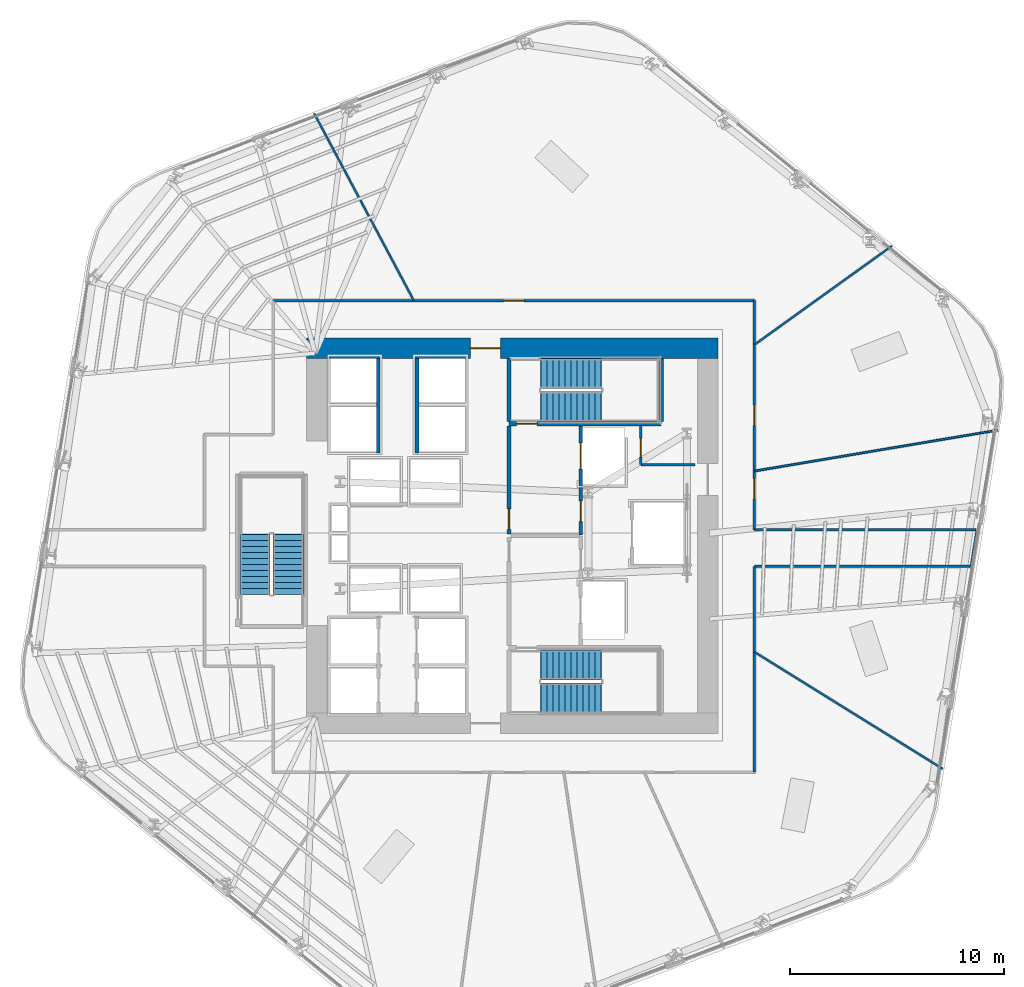
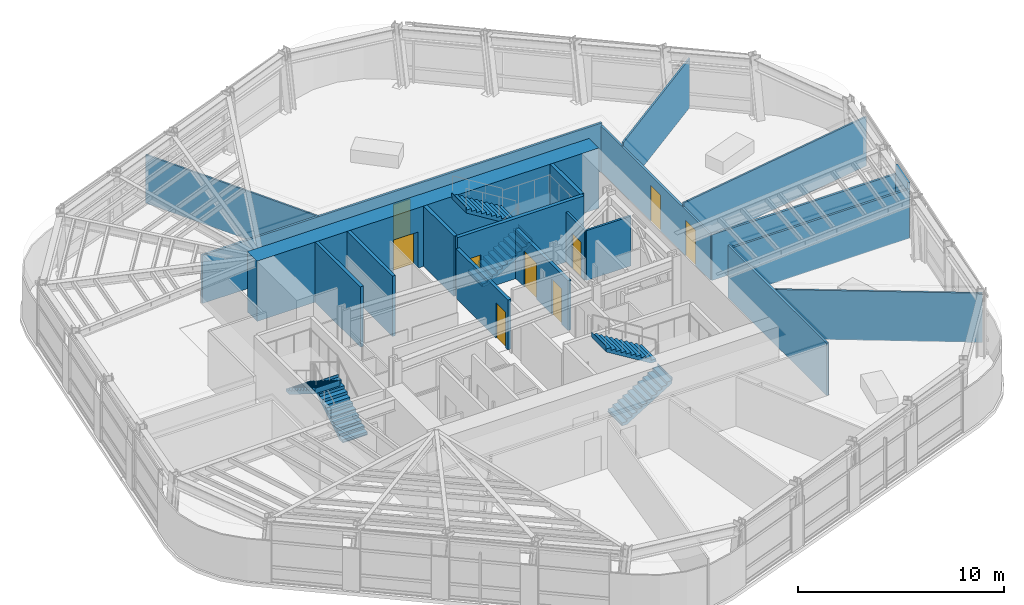
# One storey, part 10 of 18: 20 walls, 9 doors, 6 stair flights, 9 openings, 3 elements without a shape of their own.
"""IFC4 building model written with IfcOpenShell, lengths in metres."""

from ifc_helpers import new_model, si_unit, direction, frame, frame_2d, origin, place, context, subcontext, project, spatial, polyline, rectangle, outline, extrude, material, layer, layer_set, type_object, element, fill, aggregate, save


model = new_model("IFC4")

# Units and contexts
model_context = context("Model", 3, precision=1e-05, world=origin(), true_north=direction((0.0, 1.0)))
body_context = subcontext(model_context, "Body", "Model", "MODEL_VIEW")
ifc_project = project(units=[si_unit("LENGTHUNIT", "METRE"), si_unit("AREAUNIT", "SQUARE_METRE"), si_unit("VOLUMEUNIT", "CUBIC_METRE"), si_unit("PLANEANGLEUNIT", "RADIAN"), si_unit("MASSUNIT", "GRAM", prefix="KILO")], contexts=[model_context])

# Site, building, storey
site_placement = place(None, origin())
site = spatial("IfcSite", under=ifc_project, at=site_placement, CompositionType="ELEMENT")
building_placement = place(site_placement, origin())
building = spatial("IfcBuilding", under=site, at=building_placement, Name="Valkerne Bourse Tower", CompositionType="ELEMENT")
storey_placement = place(building_placement, frame((0.0, 0.0, 112.39990234375)))
storey = spatial("IfcBuildingStorey", under=building, at=storey_placement, Name="L28", CompositionType="ELEMENT", Elevation=112.39990234375)

# Wall, opening, door
ifc_material_1 = material(Name="Concrete C70/85", Category="concrete")
ifc_layer_1 = layer(ifc_material_1, 0.949951171875)
ifc_layer_set_1 = layer_set([ifc_layer_1], Name="Concrete C70/85")
wall_type_1 = type_object("IfcWallType", Name="W-CORE-950", PredefinedType="SHEAR", material=ifc_layer_set_1)
wall_1_placement = place(storey_placement, frame((37.199951171875, 35.625, 0.0), z_axis=(0.0, 0.0, 1.0), x_axis=(1.0, 0.0, 0.0)))
wall_1 = element("IfcWall", 1, at=wall_1_placement, inside=storey, type_object=wall_type_1, Name="L28 Core Shear Wall NORTH", PredefinedType="SHEAR", context=body_context, shape_type="SweptSolid", body=[
    extrude(rectangle(XDim=19.199951171875, YDim=0.949951171875, at=frame_2d((9.60009765625, 0.0))), origin(), (0.0, 0.0, 1.0), 3.580078125),
])
opening_1_placement = place(wall_1_placement, frame((7.64990234375, 0.0, 0.0)))
opening_1 = element("IfcOpeningElement", 2, at=opening_1_placement, cuts=wall_1, Name="Opening D-PL-1400", PredefinedType="OPENING", context=body_context, shape_type="SweptSolid", body=[
    extrude(rectangle(XDim=1.39990234375, YDim=2.14990234375, at=frame_2d((0.699951171875, 1.074951171875))), frame((0.0, 0.48486328125, 0.0), z_axis=(0.0, -1.0, 0.0), x_axis=(1.0, 0.0, 0.0)), (0.0, 0.0, 1.0), 0.969970703125),
])
ifc_material_2 = material(Name="Galvanised Painted Steel", Category="steel")
door_type_1 = type_object("IfcDoorType", Name="DR-PLT-1400", OperationType="DOUBLE_DOOR_SINGLE_SWING", PredefinedType="DOOR", material=ifc_material_2)
door_1_placement = place(opening_1_placement, origin())
door_1 = element("IfcDoor", 3, at=door_1_placement, inside=storey, type_object=door_type_1, Name="L28 North Passenger Lift Hall Fire Door", OperationType="DOUBLE_DOOR_SINGLE_SWING", OverallHeight=2.14990234375, OverallWidth=1.39990234375, PredefinedType="DOOR", context=body_context, shape_type="SweptSolid", body=[
    extrude(rectangle(XDim=1.39990234375, YDim=2.14990234375, at=frame_2d((0.699951171875, 1.074951171875))), frame((0.0, 0.02490234375, 0.0), z_axis=(0.0, -1.0, 0.0), x_axis=(1.0, 0.0, 0.0)), (0.0, 0.0, 1.0), 0.050048828125),
])
fill(opening_1, door_1)

ifc_material_3 = material(Name="Gypsum Board Steel-Stud Partition", Category="steel")
ifc_layer_2 = layer(ifc_material_3, 0.117919921875)
ifc_layer_set_2 = layer_set([ifc_layer_2], Name="Gypsum Board Steel-Stud Partition")
wall_type_2 = type_object("IfcWallType", Name="W-CORR-140", PredefinedType="PARTITIONING", material=ifc_layer_set_2)
wall_2_placement = place(storey_placement, frame((52.800048828125, 30.199951171875, 0.0), z_axis=(0.0, 0.0, 1.0), x_axis=(0.0, 1.0, 0.0)))
wall_2 = element("IfcWall", 4, at=wall_2_placement, inside=storey, type_object=wall_type_2, Name="L28 Core NE Bay West Wall", PredefinedType="PARTITIONING", context=body_context, shape_type="SweptSolid", body=[
    extrude(rectangle(XDim=1.820068359375, YDim=0.117919921875, at=frame_2d((0.91015625, 0.0))), origin(), (0.0, 0.0, 1.0), 2.9580078125),
])
opening_2_placement = place(wall_2_placement, frame((0.35009765625, 0.0, 0.0)))
opening_2 = element("IfcOpeningElement", 5, at=opening_2_placement, cuts=wall_2, Name="Opening D-WC-900", PredefinedType="OPENING", context=body_context, shape_type="SweptSolid", body=[
    extrude(rectangle(XDim=0.860107421875, YDim=2.050048828125, at=frame_2d((0.43017578125, 1.02490234375))), frame((0.0, 0.06884765625, 0.0), z_axis=(0.0, -1.0, 0.0), x_axis=(1.0, 0.0, 0.0)), (0.0, 0.0, 1.0), 0.137939453125),
])
ifc_material_4 = material(Name="Architectural White Oak Timber", Category="wood")
door_type_2 = type_object("IfcDoorType", Name="DR-WC-900", OperationType="NOTDEFINED", PredefinedType="DOOR", material=ifc_material_4)
door_2_placement = place(opening_2_placement, origin())
door_2 = element("IfcDoor", 6, at=door_2_placement, inside=storey, type_object=door_type_2, Name="L28 Electrical Closet Door", OperationType="SINGLE_SWING_LEFT", OverallHeight=2.050048828125, OverallWidth=0.860107421875, PredefinedType="DOOR", context=body_context, shape_type="SweptSolid", body=[
    extrude(rectangle(XDim=0.860107421875, YDim=2.050048828125, at=frame_2d((0.43017578125, 1.02490234375))), frame((0.0, 0.02490234375, 0.0), z_axis=(0.0, -1.0, 0.0), x_axis=(1.0, 0.0, 0.0)), (0.0, 0.0, 1.0), 0.050048828125),
])
fill(opening_2, door_2)

# Walls
wall_3_placement = place(storey_placement, frame((52.800048828125, 30.199951171875, 0.0), z_axis=(0.0, 0.0, 1.0), x_axis=(1.0, 0.0, 0.0)))
element("IfcWall", 7, at=wall_3_placement, inside=storey, type_object=wall_type_2, Name="L28 Core NE Bay South Wall", PredefinedType="PARTITIONING", context=body_context, shape_type="SweptSolid", body=[
    extrude(rectangle(XDim=2.52001953125, YDim=0.117919921875, at=frame_2d((1.260009765625, 0.0))), origin(), (0.0, 0.0, 1.0), 2.9580078125),
])
wall_4_placement = place(storey_placement, frame((58.10009765625, 27.14990234375, 0.0), z_axis=(0.0, 0.0, 1.0), x_axis=(1.0, 0.0, 0.0)))
element("IfcWall", 8, at=wall_4_placement, inside=storey, type_object=wall_type_2, Name="L28 Corridor Enclosure Wall", PredefinedType="PARTITIONING", context=body_context, shape_type="SweptSolid", body=[
    extrude(rectangle(XDim=10.341064453125, YDim=0.117919921875, at=frame_2d((5.17041015625, 0.0))), origin(), (0.0, 0.0, 1.0), 2.711669921875),
])
wall_5_placement = place(storey_placement, frame((68.47900390625, 27.105712890625, 0.0), z_axis=(0.0, 0.0, 1.0), x_axis=(-0.160527226217, -0.987031412693, 0.0)))
element("IfcWall", 9, at=wall_5_placement, inside=storey, type_object=wall_type_2, Name="L28 Corridor Enclosure Wall", PredefinedType="PARTITIONING", context=body_context, shape_type="SweptSolid", body=[
    extrude(rectangle(XDim=1.677490234375, YDim=0.117919921875, at=frame_2d((0.8388671875, 0.0))), origin(), (0.0, 0.0, 1.0), 3.280029296875),
])
wall_6_placement = place(storey_placement, frame((68.209716796875, 25.449951171875, 0.0), z_axis=(0.0, 0.0, 1.0), x_axis=(-1.0, 0.0, 0.0)))
element("IfcWall", 10, at=wall_6_placement, inside=storey, type_object=wall_type_2, Name="L28 Corridor Enclosure Wall", PredefinedType="PARTITIONING", context=body_context, shape_type="SweptSolid", body=[
    extrude(rectangle(XDim=10.109619140625, YDim=0.117919921875, at=frame_2d((5.0546875, 0.0))), origin(), (0.0, 0.0, 1.0), 2.922607421875),
])
wall_7_placement = place(storey_placement, frame((58.10009765625, 25.449951171875, 0.0), z_axis=(0.0, 0.0, 1.0), x_axis=(0.0, -1.0, 0.0)))
element("IfcWall", 11, at=wall_7_placement, inside=storey, type_object=wall_type_2, Name="L28 Corridor Enclosure Wall", PredefinedType="PARTITIONING", context=body_context, shape_type="SweptSolid", body=[
    extrude(rectangle(XDim=9.599853515625, YDim=0.117919921875, at=frame_2d((4.7998046875, 0.0))), origin(), (0.0, 0.0, 1.0), 3.11279296875),
])

# Wall, opening, door
wall_8_placement = place(storey_placement, frame((35.64990234375, 37.85009765625, 0.0), z_axis=(0.0, 0.0, 1.0), x_axis=(1.0, 0.0, 0.0)))
wall_8 = element("IfcWall", 12, at=wall_8_placement, inside=storey, type_object=wall_type_2, Name="L28 Corridor Enclosure Wall", PredefinedType="PARTITIONING", context=body_context, shape_type="SweptSolid", body=[
    extrude(rectangle(XDim=22.4501953125, YDim=0.117919921875, at=frame_2d((11.22509765625, 0.0))), origin(), (0.0, 0.0, 1.0), 2.876708984375),
])
opening_3_placement = place(wall_8_placement, frame((10.75, 0.0, 0.0)))
opening_3 = element("IfcOpeningElement", 13, at=opening_3_placement, cuts=wall_8, Name="Opening D-OF-950", PredefinedType="OPENING", context=body_context, shape_type="SweptSolid", body=[
    extrude(rectangle(XDim=0.949951171875, YDim=2.10009765625, at=frame_2d((0.47509765625, 1.050048828125))), frame((0.0, 0.06884765625, 0.0), z_axis=(0.0, -1.0, 0.0), x_axis=(1.0, 0.0, 0.0)), (0.0, 0.0, 1.0), 0.137939453125),
])
door_type_3 = type_object("IfcDoorType", Name="DR-OFF-950", OperationType="NOTDEFINED", PredefinedType="DOOR", material=ifc_material_4)
door_3_placement = place(opening_3_placement, origin())
door_3 = element("IfcDoor", 14, at=door_3_placement, inside=storey, type_object=door_type_3, Name="L28 L28 VIP Client Concierge Reception 7 Door", OperationType="SINGLE_SWING_RIGHT", OverallHeight=2.10009765625, OverallWidth=0.949951171875, PredefinedType="DOOR", context=body_context, shape_type="SweptSolid", body=[
    extrude(rectangle(XDim=0.949951171875, YDim=2.10009765625, at=frame_2d((0.47509765625, 1.050048828125))), frame((0.0, 0.02490234375, 0.0), z_axis=(0.0, -1.0, 0.0), x_axis=(1.0, 0.0, 0.0)), (0.0, 0.0, 1.0), 0.050048828125),
])
fill(opening_3, door_3)

# Wall, openings, doors
wall_9_placement = place(storey_placement, frame((58.10009765625, 37.85009765625, 0.0), z_axis=(0.0, 0.0, 1.0), x_axis=(0.0, -1.0, 0.0)))
wall_9 = element("IfcWall", 15, at=wall_9_placement, inside=storey, type_object=wall_type_2, Name="L28 Corridor Enclosure Wall", PredefinedType="PARTITIONING", context=body_context, shape_type="SweptSolid", body=[
    extrude(rectangle(XDim=10.7001953125, YDim=0.117919921875, at=frame_2d((5.35009765625, 0.0))), origin(), (0.0, 0.0, 1.0), 2.711669921875),
])
opening_4_placement = place(wall_9_placement, frame((4.875, 0.0, 0.0)))
opening_4 = element("IfcOpeningElement", 16, at=opening_4_placement, cuts=wall_9, Name="Opening D-OF-950", PredefinedType="OPENING", context=body_context, shape_type="SweptSolid", body=[
    extrude(rectangle(XDim=0.949951171875, YDim=2.10009765625, at=frame_2d((0.47509765625, 1.050048828125))), frame((0.0, 0.06884765625, 0.0), z_axis=(0.0, -1.0, 0.0), x_axis=(1.0, 0.0, 0.0)), (0.0, 0.0, 1.0), 0.137939453125),
])
opening_5_placement = place(wall_9_placement, frame((8.294921875, 0.0, 0.0)))
opening_5 = element("IfcOpeningElement", 17, at=opening_5_placement, cuts=wall_9, Name="Opening D-OF-950", PredefinedType="OPENING", context=body_context, shape_type="SweptSolid", body=[
    extrude(rectangle(XDim=0.949951171875, YDim=2.10009765625, at=frame_2d((0.47509765625, 1.050048828125))), frame((0.0, 0.06884765625, 0.0), z_axis=(0.0, -1.0, 0.0), x_axis=(1.0, 0.0, 0.0)), (0.0, 0.0, 1.0), 0.137939453125),
])
door_4_placement = place(opening_4_placement, origin())
door_4 = element("IfcDoor", 18, at=door_4_placement, inside=storey, type_object=door_type_3, Name="L28 L28 Trading Desk Office 3 Door", OperationType="SINGLE_SWING_LEFT", OverallHeight=2.10009765625, OverallWidth=0.949951171875, PredefinedType="DOOR", context=body_context, shape_type="SweptSolid", body=[
    extrude(rectangle(XDim=0.949951171875, YDim=2.10009765625, at=frame_2d((0.47509765625, 1.050048828125))), frame((0.0, 0.02490234375, 0.0), z_axis=(0.0, -1.0, 0.0), x_axis=(1.0, 0.0, 0.0)), (0.0, 0.0, 1.0), 0.050048828125),
])
fill(opening_4, door_4)
door_5_placement = place(opening_5_placement, origin())
door_5 = element("IfcDoor", 19, at=door_5_placement, inside=storey, type_object=door_type_3, Name="L28 L28 Member Collaboration Club Salon 6 Door", OperationType="SINGLE_SWING_RIGHT", OverallHeight=2.10009765625, OverallWidth=0.949951171875, PredefinedType="DOOR", context=body_context, shape_type="SweptSolid", body=[
    extrude(rectangle(XDim=0.949951171875, YDim=2.10009765625, at=frame_2d((0.47509765625, 1.050048828125))), frame((0.0, 0.02490234375, 0.0), z_axis=(0.0, -1.0, 0.0), x_axis=(1.0, 0.0, 0.0)), (0.0, 0.0, 1.0), 0.050048828125),
])
fill(opening_5, door_5)

# Wall, opening, door
ifc_material_5 = material(Name="Gypsum Fire-Rated Shaftwall", Category="gypsum")
ifc_layer_3 = layer(ifc_material_5, 0.179931640625)
ifc_layer_set_3 = layer_set([ifc_layer_3], Name="Gypsum Fire-Rated Shaftwall")
wall_type_3 = type_object("IfcWallType", Name="W-FSAE-180", PredefinedType="PARTITIONING", material=ifc_layer_set_3)
wall_10_placement = place(storey_placement, frame((46.64990234375, 26.9599609375, 0.0), z_axis=(0.0, 0.0, 1.0), x_axis=(0.0, 1.0, 0.0)))
wall_10 = element("IfcWall", 20, at=wall_10_placement, inside=storey, type_object=wall_type_3, Name="L28 FSAE-2 Lobby West Fire Wall", PredefinedType="PARTITIONING", context=body_context, shape_type="SweptSolid", body=[
    extrude(rectangle(XDim=5.0400390625, YDim=0.179931640625, at=frame_2d((2.52001953125, 0.0))), origin(), (0.0, 0.0, 1.0), 2.9580078125),
])
opening_6_placement = place(wall_10_placement, frame((0.219970703125, 0.0, 0.0)))
opening_6 = element("IfcOpeningElement", 21, at=opening_6_placement, cuts=wall_10, Name="Opening D-FS-950", PredefinedType="OPENING", context=body_context, shape_type="SweptSolid", body=[
    extrude(rectangle(XDim=0.949951171875, YDim=2.10009765625, at=frame_2d((0.47509765625, 1.050048828125))), frame((0.0, 0.099853515625, 0.0), z_axis=(0.0, -1.0, 0.0), x_axis=(1.0, 0.0, 0.0)), (0.0, 0.0, 1.0), 0.199951171875),
])
door_type_4 = type_object("IfcDoorType", Name="DR-FSAE-950", OperationType="NOTDEFINED", PredefinedType="DOOR", material=ifc_material_2)
door_6_placement = place(opening_6_placement, origin())
door_6 = element("IfcDoor", 22, at=door_6_placement, inside=storey, type_object=door_type_4, Name="L28 FSAE-2 Hall Link Fire Door", OperationType="SINGLE_SWING_RIGHT", OverallHeight=2.10009765625, OverallWidth=0.949951171875, PredefinedType="DOOR", context=body_context, shape_type="SweptSolid", body=[
    extrude(rectangle(XDim=0.949951171875, YDim=2.10009765625, at=frame_2d((0.47509765625, 1.050048828125))), frame((0.0, 0.02490234375, 0.0), z_axis=(0.0, -1.0, 0.0), x_axis=(1.0, 0.0, 0.0)), (0.0, 0.0, 1.0), 0.050048828125),
])
fill(opening_6, door_6)

# Wall, openings, doors
wall_11_placement = place(storey_placement, frame((50.0, 26.919921875, 0.0), z_axis=(0.0, 0.0, 1.0), x_axis=(0.0, 1.0, 0.0)))
wall_11 = element("IfcWall", 23, at=wall_11_placement, inside=storey, type_object=wall_type_3, Name="L28 FSAE-2 Lobby & Shaft Front Wall", PredefinedType="PARTITIONING", context=body_context, shape_type="SweptSolid", body=[
    extrude(rectangle(XDim=5.080078125, YDim=0.179931640625, at=frame_2d((2.5400390625, 0.0))), origin(), (0.0, 0.0, 1.0), 2.9580078125),
])
opening_7_placement = place(wall_11_placement, frame((3.080078125, 0.0, 0.0)))
opening_7 = element("IfcOpeningElement", 24, at=opening_7_placement, cuts=wall_11, Name="Opening LD-1200", PredefinedType="OPENING", context=body_context, shape_type="SweptSolid", body=[
    extrude(rectangle(XDim=1.199951171875, YDim=2.14990234375, at=frame_2d((0.60009765625, 1.074951171875))), frame((0.0, 0.099853515625, 0.0), z_axis=(0.0, -1.0, 0.0), x_axis=(1.0, 0.0, 0.0)), (0.0, 0.0, 1.0), 0.199951171875),
])
opening_8_placement = place(wall_11_placement, frame((0.6298828125, 0.0, 0.0)))
opening_8 = element("IfcOpeningElement", 25, at=opening_8_placement, cuts=wall_11, Name="Opening D-FS-950", PredefinedType="OPENING", context=body_context, shape_type="SweptSolid", body=[
    extrude(rectangle(XDim=0.949951171875, YDim=2.10009765625, at=frame_2d((0.47509765625, 1.050048828125))), frame((0.0, 0.099853515625, 0.0), z_axis=(0.0, -1.0, 0.0), x_axis=(1.0, 0.0, 0.0)), (0.0, 0.0, 1.0), 0.199951171875),
])
door_7_placement = place(opening_8_placement, origin())
door_7 = element("IfcDoor", 26, at=door_7_placement, inside=storey, type_object=door_type_4, Name="L28 FSAE-2 Lobby Corridor Fire Door", OperationType="SINGLE_SWING_LEFT", OverallHeight=2.10009765625, OverallWidth=0.949951171875, PredefinedType="DOOR", context=body_context, shape_type="SweptSolid", body=[
    extrude(rectangle(XDim=0.949951171875, YDim=2.10009765625, at=frame_2d((0.47509765625, 1.050048828125))), frame((0.0, 0.02490234375, 0.0), z_axis=(0.0, -1.0, 0.0), x_axis=(1.0, 0.0, 0.0)), (0.0, 0.0, 1.0), 0.050048828125),
])
fill(opening_8, door_7)
ifc_material_6 = material(Name="Stainless Steel AISI 316", Category="steel")
door_type_5 = type_object("IfcDoorType", Name="DR-LIFT-1200", OperationType="DOUBLE_DOOR_SLIDING", PredefinedType="DOOR", material=ifc_material_6)
door_8_placement = place(opening_7_placement, origin())
door_8 = element("IfcDoor", 27, at=door_8_placement, inside=storey, type_object=door_type_5, Name="L28 FSAE-2 Firefighting Lift Landing Door", OperationType="DOUBLE_DOOR_SLIDING", OverallHeight=2.14990234375, OverallWidth=1.199951171875, PredefinedType="DOOR", context=body_context, shape_type="SweptSolid", body=[
    extrude(rectangle(XDim=1.199951171875, YDim=2.14990234375, at=frame_2d((0.60009765625, 1.074951171875))), frame((0.0, 0.02490234375, 0.0), z_axis=(0.0, -1.0, 0.0), x_axis=(1.0, 0.0, 0.0)), (0.0, 0.0, 1.0), 0.050048828125),
])
fill(opening_7, door_8)

# Walls
ifc_material_7 = material(Name="CMU Blockwork Masonry 200mm", Category="masonry")
ifc_layer_4 = layer(ifc_material_7, 0.179931640625)
ifc_layer_set_4 = layer_set([ifc_layer_4], Name="CMU Blockwork Masonry 200mm")
wall_type_4 = type_object("IfcWallType", Name="W-LFT-180", PredefinedType="SOLIDWALL", material=ifc_layer_set_4)
for number, where, z_axis, x_axis, name in (
    (28, (40.550048828125, 30.75, 0.0), (0.0, 0.0, 1.0), (0.0, 1.0, 0.0), "L28 Mid-Zone West Cars Front Wall"),
    (29, (42.35009765625, 30.75, 0.0), (0.0, 0.0, 1.0), (0.0, 1.0, 0.0), "L28 Mid-Zone East Cars Front Wall"),
):
    element("IfcWall", number, at=place(storey_placement, frame(where, z_axis=z_axis, x_axis=x_axis)), inside=storey, type_object=wall_type_4, Name=name, PredefinedType="SOLIDWALL", context=body_context, shape_type="SweptSolid", body=[
        extrude(rectangle(XDim=4.39990234375, YDim=0.179931640625, at=frame_2d((2.199951171875, 0.0))), origin(), (0.0, 0.0, 1.0), 3.580078125),
    ])
ifc_layer_5 = layer(ifc_material_3, 0.092041015625)
ifc_layer_set_5 = layer_set([ifc_layer_5], Name="Gypsum Board Steel-Stud Partition")
wall_type_5 = type_object("IfcWallType", Name="W-PART-115", PredefinedType="PARTITIONING", material=ifc_layer_set_5)
wall_12_placement = place(storey_placement, frame((58.10498046875, 21.455078125, 0.0), z_axis=(0.0, 0.0, 1.0), x_axis=(0.849622646714, -0.527391086567, 0.0)))
element("IfcWall", 30, at=wall_12_placement, inside=storey, type_object=wall_type_5, Name="L28 Suite Partition P04", PredefinedType="PARTITIONING", context=body_context, shape_type="SweptSolid", body=[
    extrude(rectangle(XDim=10.335205078125, YDim=0.092041015625, at=frame_2d((5.16748046875, 0.0))), origin(), (0.0, 0.0, 1.0), 2.922607421875),
])
wall_13_placement = place(storey_placement, frame((58.10498046875, 29.899169921875, 0.0), z_axis=(0.0, 0.0, 1.0), x_axis=(0.986170022285, 0.16573680082, 0.0)))
element("IfcWall", 31, at=wall_13_placement, inside=storey, type_object=wall_type_5, Name="L28 Suite Partition P05", PredefinedType="PARTITIONING", context=body_context, shape_type="SweptSolid", body=[
    extrude(rectangle(XDim=11.510498046875, YDim=0.092041015625, at=frame_2d((5.75537109375, 0.0))), origin(), (0.0, 0.0, 1.0), 2.922607421875),
])
wall_14_placement = place(storey_placement, frame((58.10498046875, 35.7958984375, 0.0), z_axis=(0.0, 0.0, 1.0), x_axis=(0.811947511008, 0.583730450952, 0.0)))
element("IfcWall", 32, at=wall_14_placement, inside=storey, type_object=wall_type_5, Name="L28 Suite Partition P06", PredefinedType="PARTITIONING", context=body_context, shape_type="SweptSolid", body=[
    extrude(rectangle(XDim=7.886474609375, YDim=0.092041015625, at=frame_2d((3.943359375, 0.0))), origin(), (0.0, 0.0, 1.0), 2.922607421875),
])
wall_15_placement = place(storey_placement, frame((42.206787109375, 37.85498046875, 0.0), z_axis=(0.0, 0.0, 1.0), x_axis=(-0.469921976439, 0.882707956268, 0.0)))
element("IfcWall", 33, at=wall_15_placement, inside=storey, type_object=wall_type_5, Name="L28 Suite Partition P07", PredefinedType="PARTITIONING", context=body_context, shape_type="SweptSolid", body=[
    extrude(rectangle(XDim=9.891845703125, YDim=0.092041015625, at=frame_2d((4.94580078125, 0.0))), origin(), (0.0, 0.0, 1.0), 2.876708984375),
])

# Wall, opening, door
ifc_material_8 = material(Name="Concrete C40/50", Category="concrete")
ifc_layer_6 = layer(ifc_material_8, 0.199951171875)
ifc_layer_set_6 = layer_set([ifc_layer_6], Name="Concrete C40/50")
wall_type_6 = type_object("IfcWallType", Name="W-SHF-200", PredefinedType="SHEAR", material=ifc_layer_set_6)
wall_16_placement = place(storey_placement, frame((46.64990234375, 32.10009765625, 0.0), z_axis=(0.0, 0.0, 1.0), x_axis=(1.0, 0.0, 0.0)))
wall_16 = element("IfcWall", 34, at=wall_16_placement, inside=storey, type_object=wall_type_6, Name="L28 Exit Stair ST-2 Structural Shaft Wall South", PredefinedType="SHEAR", context=body_context, shape_type="SweptSolid", body=[
    extrude(rectangle(XDim=7.10009765625, YDim=0.199951171875, at=frame_2d((3.550048828125, 0.0))), origin(), (0.0, 0.0, 1.0), 3.580078125),
])
opening_9_placement = place(wall_16_placement, frame((0.35009765625, 0.0, 0.0)))
opening_9 = element("IfcOpeningElement", 35, at=opening_9_placement, cuts=wall_16, Name="Opening D-ST-950", PredefinedType="OPENING", context=body_context, shape_type="SweptSolid", body=[
    extrude(rectangle(XDim=0.949951171875, YDim=2.10009765625, at=frame_2d((0.47509765625, 1.050048828125))), frame((0.0, 0.10986328125, 0.0), z_axis=(0.0, -1.0, 0.0), x_axis=(1.0, 0.0, 0.0)), (0.0, 0.0, 1.0), 0.219970703125),
])
door_type_6 = type_object("IfcDoorType", Name="DR-STAIR-950", OperationType="NOTDEFINED", PredefinedType="DOOR", material=ifc_material_2)
door_9_placement = place(opening_9_placement, origin())
door_9 = element("IfcDoor", 36, at=door_9_placement, inside=storey, type_object=door_type_6, Name="L28 Exit Stair ST-2 Door", OperationType="SINGLE_SWING_RIGHT", OverallHeight=2.10009765625, OverallWidth=0.949951171875, PredefinedType="DOOR", context=body_context, shape_type="SweptSolid", body=[
    extrude(rectangle(XDim=0.949951171875, YDim=2.10009765625, at=frame_2d((0.47509765625, 1.050048828125))), frame((0.0, 0.02490234375, 0.0), z_axis=(0.0, -1.0, 0.0), x_axis=(1.0, 0.0, 0.0)), (0.0, 0.0, 1.0), 0.050048828125),
])
fill(opening_9, door_9)

# Walls
for number, where, z_axis, x_axis, name in (
    (37, (46.64990234375, 32.199951171875, 0.0), (0.0, 0.0, 1.0), (0.0, 1.0, 0.0), "L28 Exit Stair ST-2 Structural Shaft Wall West"),
    (38, (53.75, 32.199951171875, 0.0), (0.0, 0.0, 1.0), (0.0, 1.0, 0.0), "L28 Exit Stair ST-2 Structural Shaft Wall East"),
):
    element("IfcWall", number, at=place(storey_placement, frame(where, z_axis=z_axis, x_axis=x_axis)), inside=storey, type_object=wall_type_6, Name=name, PredefinedType="SHEAR", context=body_context, shape_type="SweptSolid", body=[
        extrude(rectangle(XDim=2.949951171875, YDim=0.199951171875, at=frame_2d((1.47509765625, 0.0))), origin(), (0.0, 0.0, 1.0), 3.580078125),
    ])

# Stair, stair flights
stair_type = type_object("IfcStairType", Name="ST-CORE-1400", PredefinedType="HALF_TURN_STAIR", material=ifc_material_8)
stair_1_placement = place(storey_placement, origin())
stair_1 = element("IfcStair", 39, at=stair_1_placement, inside=storey, type_object=stair_type, Name="L28 ST-1", PredefinedType="HALF_TURN_STAIR")
stair_flight_type = type_object("IfcStairFlightType", Name="STF-CORE-1400", PredefinedType="STRAIGHT", material=ifc_material_8)
stair_flight_1_placement = place(storey_placement, frame((48.14990234375, 19.300048828125, 0.0), z_axis=(0.0, 0.0, 1.0), x_axis=(1.0, 0.0, 0.0)))
stair_flight_1 = element("IfcStairFlight", 40, at=stair_flight_1_placement, type_object=stair_flight_type, Name="ST-1 flight 1", NumberOfRisers=11, NumberOfTreads=10, PredefinedType="STRAIGHT", RiserHeight=0.172727273, TreadLength=0.28, context=body_context, shape_type="SweptSolid", body=[
    extrude(outline(polyline([(-0.02001953125, 0.0), (-0.02001953125, 0.044921875), (0.0, 0.044921875), (0.0, 0.172607421875), (0.280029296875, 0.172607421875), (0.280029296875, 0.345458984375), (0.56005859375, 0.345458984375), (0.56005859375, 0.51806640625), (0.840087890625, 0.51806640625), (0.840087890625, 0.69091796875), (1.1201171875, 0.69091796875), (1.1201171875, 0.863525390625), (1.39990234375, 0.863525390625), (1.39990234375, 1.036376953125), (1.679931640625, 1.036376953125), (1.679931640625, 1.208984375), (1.9599609375, 1.208984375), (1.9599609375, 1.3818359375), (2.239990234375, 1.3818359375), (2.239990234375, 1.554443359375), (2.52001953125, 1.554443359375), (2.52001953125, 1.727294921875), (2.800048828125, 1.727294921875), (2.800048828125, 1.89990234375), (2.820068359375, 1.89990234375), (2.820068359375, 1.780029296875), (2.800048828125, 1.551025390625), (0.285400390625, 0.0), (-0.02001953125, 0.0)])), frame((0.0, 0.699951171875, 0.0), z_axis=(0.0, -1.0, 0.0), x_axis=(1.0, 0.0, 0.0)), (0.0, 0.0, 1.0), 1.39990234375),
])
stair_flight_2_placement = place(storey_placement, frame((50.949951171875, 20.85009765625, 1.900146484375), z_axis=(0.0, 0.0, 1.0), x_axis=(-1.0, 0.0, 0.0)))
stair_flight_2 = element("IfcStairFlight", 41, at=stair_flight_2_placement, type_object=stair_flight_type, Name="ST-1 flight 2", NumberOfRisers=11, NumberOfTreads=10, PredefinedType="STRAIGHT", RiserHeight=0.172727273, TreadLength=0.28, context=body_context, shape_type="SweptSolid", body=[
    extrude(outline(polyline([(-0.02001953125, 0.0), (-0.02001953125, 0.044921875), (0.0, 0.044921875), (0.0, 0.172607421875), (0.280029296875, 0.172607421875), (0.280029296875, 0.345458984375), (0.56005859375, 0.345458984375), (0.56005859375, 0.51806640625), (0.840087890625, 0.51806640625), (0.840087890625, 0.69091796875), (1.1201171875, 0.69091796875), (1.1201171875, 0.863525390625), (1.39990234375, 0.863525390625), (1.39990234375, 1.036376953125), (1.679931640625, 1.036376953125), (1.679931640625, 1.208984375), (1.9599609375, 1.208984375), (1.9599609375, 1.3818359375), (2.239990234375, 1.3818359375), (2.239990234375, 1.554443359375), (2.52001953125, 1.554443359375), (2.52001953125, 1.727294921875), (2.800048828125, 1.727294921875), (2.800048828125, 1.89990234375), (2.820068359375, 1.89990234375), (2.820068359375, 1.780029296875), (2.800048828125, 1.551025390625), (0.285400390625, 0.0), (-0.02001953125, 0.0)])), frame((0.0, 0.699951171875, 0.0), z_axis=(0.0, -1.0, 0.0), x_axis=(1.0, 0.0, 0.0)), (0.0, 0.0, 1.0), 1.39990234375),
])
aggregate(stair_1, [stair_flight_1, stair_flight_2])

stair_2_placement = place(storey_placement, origin())
stair_2 = element("IfcStair", 42, at=stair_2_placement, inside=storey, type_object=stair_type, Name="L28 ST-2", PredefinedType="HALF_TURN_STAIR")
stair_flight_3_placement = place(storey_placement, frame((48.14990234375, 32.89990234375, 0.0), z_axis=(0.0, 0.0, 1.0), x_axis=(1.0, 0.0, 0.0)))
stair_flight_3 = element("IfcStairFlight", 43, at=stair_flight_3_placement, type_object=stair_flight_type, Name="ST-2 flight 1", NumberOfRisers=11, NumberOfTreads=10, PredefinedType="STRAIGHT", RiserHeight=0.172727273, TreadLength=0.28, context=body_context, shape_type="SweptSolid", body=[
    extrude(outline(polyline([(-0.02001953125, 0.0), (-0.02001953125, 0.044921875), (0.0, 0.044921875), (0.0, 0.172607421875), (0.280029296875, 0.172607421875), (0.280029296875, 0.345458984375), (0.56005859375, 0.345458984375), (0.56005859375, 0.51806640625), (0.840087890625, 0.51806640625), (0.840087890625, 0.69091796875), (1.1201171875, 0.69091796875), (1.1201171875, 0.863525390625), (1.39990234375, 0.863525390625), (1.39990234375, 1.036376953125), (1.679931640625, 1.036376953125), (1.679931640625, 1.208984375), (1.9599609375, 1.208984375), (1.9599609375, 1.3818359375), (2.239990234375, 1.3818359375), (2.239990234375, 1.554443359375), (2.52001953125, 1.554443359375), (2.52001953125, 1.727294921875), (2.800048828125, 1.727294921875), (2.800048828125, 1.89990234375), (2.820068359375, 1.89990234375), (2.820068359375, 1.780029296875), (2.800048828125, 1.551025390625), (0.285400390625, 0.0), (-0.02001953125, 0.0)])), frame((0.0, 0.699951171875, 0.0), z_axis=(0.0, -1.0, 0.0), x_axis=(1.0, 0.0, 0.0)), (0.0, 0.0, 1.0), 1.39990234375),
])
stair_flight_4_placement = place(storey_placement, frame((50.949951171875, 34.449951171875, 1.900146484375), z_axis=(0.0, 0.0, 1.0), x_axis=(-1.0, 0.0, 0.0)))
stair_flight_4 = element("IfcStairFlight", 44, at=stair_flight_4_placement, type_object=stair_flight_type, Name="ST-2 flight 2", NumberOfRisers=11, NumberOfTreads=10, PredefinedType="STRAIGHT", RiserHeight=0.172727273, TreadLength=0.28, context=body_context, shape_type="SweptSolid", body=[
    extrude(outline(polyline([(-0.02001953125, 0.0), (-0.02001953125, 0.044921875), (0.0, 0.044921875), (0.0, 0.172607421875), (0.280029296875, 0.172607421875), (0.280029296875, 0.345458984375), (0.56005859375, 0.345458984375), (0.56005859375, 0.51806640625), (0.840087890625, 0.51806640625), (0.840087890625, 0.69091796875), (1.1201171875, 0.69091796875), (1.1201171875, 0.863525390625), (1.39990234375, 0.863525390625), (1.39990234375, 1.036376953125), (1.679931640625, 1.036376953125), (1.679931640625, 1.208984375), (1.9599609375, 1.208984375), (1.9599609375, 1.3818359375), (2.239990234375, 1.3818359375), (2.239990234375, 1.554443359375), (2.52001953125, 1.554443359375), (2.52001953125, 1.727294921875), (2.800048828125, 1.727294921875), (2.800048828125, 1.89990234375), (2.820068359375, 1.89990234375), (2.820068359375, 1.780029296875), (2.800048828125, 1.551025390625), (0.285400390625, 0.0), (-0.02001953125, 0.0)])), frame((0.0, 0.699951171875, 0.0), z_axis=(0.0, -1.0, 0.0), x_axis=(1.0, 0.0, 0.0)), (0.0, 0.0, 1.0), 1.39990234375),
])
aggregate(stair_2, [stair_flight_3, stair_flight_4])

stair_3_placement = place(storey_placement, origin())
stair_3 = element("IfcStair", 45, at=stair_3_placement, inside=storey, type_object=stair_type, Name="L28 ST-3", PredefinedType="HALF_TURN_STAIR")
stair_flight_5_placement = place(storey_placement, frame((36.35009765625, 24.14990234375, 0.0), z_axis=(0.0, 0.0, 1.0), x_axis=(0.0, 1.0, 0.0)))
stair_flight_5 = element("IfcStairFlight", 46, at=stair_flight_5_placement, type_object=stair_flight_type, Name="ST-3 flight 1", NumberOfRisers=11, NumberOfTreads=10, PredefinedType="STRAIGHT", RiserHeight=0.172727273, TreadLength=0.28, context=body_context, shape_type="SweptSolid", body=[
    extrude(outline(polyline([(-0.02001953125, 0.0), (-0.02001953125, 0.044921875), (0.0, 0.044921875), (0.0, 0.172607421875), (0.280029296875, 0.172607421875), (0.280029296875, 0.345458984375), (0.56005859375, 0.345458984375), (0.56005859375, 0.51806640625), (0.840087890625, 0.51806640625), (0.840087890625, 0.69091796875), (1.1201171875, 0.69091796875), (1.1201171875, 0.863525390625), (1.39990234375, 0.863525390625), (1.39990234375, 1.036376953125), (1.679931640625, 1.036376953125), (1.679931640625, 1.208984375), (1.9599609375, 1.208984375), (1.9599609375, 1.3818359375), (2.239990234375, 1.3818359375), (2.239990234375, 1.554443359375), (2.52001953125, 1.554443359375), (2.52001953125, 1.727294921875), (2.800048828125, 1.727294921875), (2.800048828125, 1.89990234375), (2.820068359375, 1.89990234375), (2.820068359375, 1.780029296875), (2.800048828125, 1.551025390625), (0.285400390625, 0.0), (-0.02001953125, 0.0)])), frame((0.0, 0.699951171875, 0.0), z_axis=(0.0, -1.0, 0.0), x_axis=(1.0, 0.0, 0.0)), (0.0, 0.0, 1.0), 1.39990234375),
])
stair_flight_6_placement = place(storey_placement, frame((34.800048828125, 26.949951171875, 1.900146484375), z_axis=(0.0, 0.0, 1.0), x_axis=(0.0, -1.0, 0.0)))
stair_flight_6 = element("IfcStairFlight", 47, at=stair_flight_6_placement, type_object=stair_flight_type, Name="ST-3 flight 2", NumberOfRisers=11, NumberOfTreads=10, PredefinedType="STRAIGHT", RiserHeight=0.172727273, TreadLength=0.28, context=body_context, shape_type="SweptSolid", body=[
    extrude(outline(polyline([(-0.02001953125, 0.0), (-0.02001953125, 0.044921875), (0.0, 0.044921875), (0.0, 0.172607421875), (0.280029296875, 0.172607421875), (0.280029296875, 0.345458984375), (0.56005859375, 0.345458984375), (0.56005859375, 0.51806640625), (0.840087890625, 0.51806640625), (0.840087890625, 0.69091796875), (1.1201171875, 0.69091796875), (1.1201171875, 0.863525390625), (1.39990234375, 0.863525390625), (1.39990234375, 1.036376953125), (1.679931640625, 1.036376953125), (1.679931640625, 1.208984375), (1.9599609375, 1.208984375), (1.9599609375, 1.3818359375), (2.239990234375, 1.3818359375), (2.239990234375, 1.554443359375), (2.52001953125, 1.554443359375), (2.52001953125, 1.727294921875), (2.800048828125, 1.727294921875), (2.800048828125, 1.89990234375), (2.820068359375, 1.89990234375), (2.820068359375, 1.780029296875), (2.800048828125, 1.551025390625), (0.285400390625, 0.0), (-0.02001953125, 0.0)])), frame((0.0, 0.699951171875, 0.0), z_axis=(0.0, -1.0, 0.0), x_axis=(1.0, 0.0, 0.0)), (0.0, 0.0, 1.0), 1.39990234375),
])
aggregate(stair_3, [stair_flight_5, stair_flight_6])

save(model, "model.ifc")
